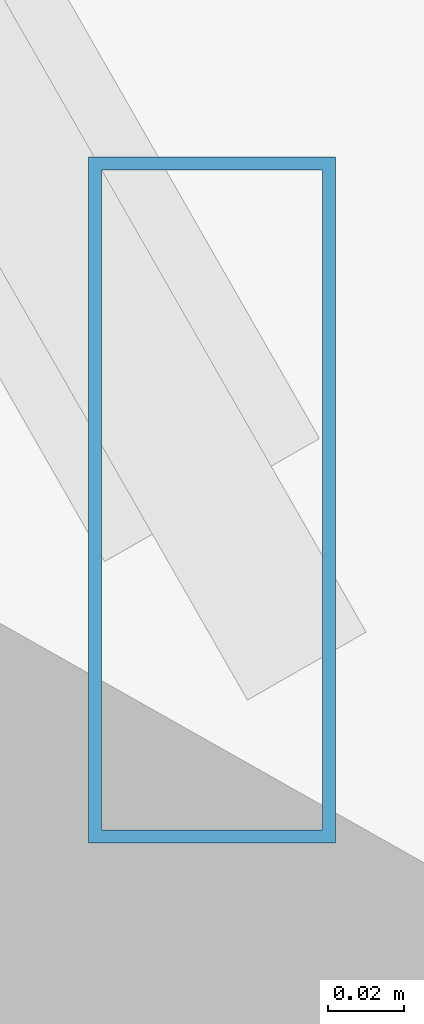
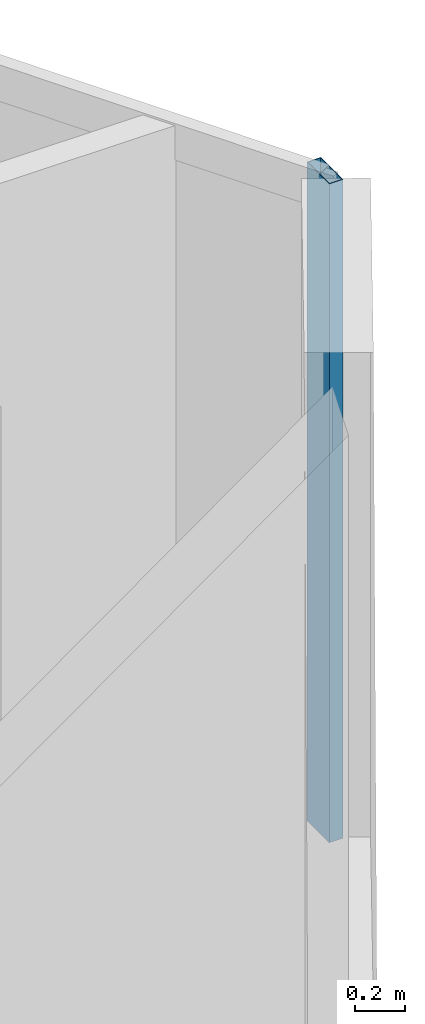
# One storey, part 19 of 39: 1 member, 1 element without a shape of its own.
"""IFC4 building model written with IfcOpenShell, lengths in metres."""

from ifc_helpers import new_model, si_unit, direction, frame, origin, origin_2d, place, context, subcontext, project, spatial, hollow_rectangle, extrude, source, transform, mapped, material, material_profile, profile_set, type_object, type_shapes, element, aggregate, save


model = new_model("IFC4")

# Units and contexts
model_context = context("Model", 3, precision=1e-05, world=origin(), true_north=direction((0.0, 1.0)))
body_context = subcontext(model_context, "Body", "Model", "MODEL_VIEW")
ifc_project = project(units=[si_unit("LENGTHUNIT", "METRE"), si_unit("AREAUNIT", "SQUARE_METRE"), si_unit("VOLUMEUNIT", "CUBIC_METRE"), si_unit("PLANEANGLEUNIT", "RADIAN"), si_unit("MASSUNIT", "GRAM", prefix="KILO")], contexts=[model_context])

# Site, building, storey
site_placement = place(None, origin())
site = spatial("IfcSite", under=ifc_project, at=site_placement, CompositionType="ELEMENT")
building_placement = place(site_placement, origin())
building = spatial("IfcBuilding", under=site, at=building_placement, Name="Caelisora Broadcast Tower", CompositionType="ELEMENT")
storey_placement = place(building_placement, frame((0.0, 0.0, 71.39990234375)))
storey = spatial("IfcBuildingStorey", under=building, at=storey_placement, Name="L18", CompositionType="ELEMENT", Elevation=71.39990234375)

# Curtain wall, member
ifc_material_1 = material(Name="Unitised Aluminium and Low-E Glass Curtain Wall", Category="glass")
curtain_wall_type = type_object("IfcCurtainWallType", Name="CW-Z1", PredefinedType="NOTDEFINED", material=ifc_material_1)
curtain_wall_placement = place(storey_placement, origin())
curtain_wall = element("IfcCurtainWall", 1, at=curtain_wall_placement, inside=storey, type_object=curtain_wall_type, Name="L18 curtain wall CW-Z1", PredefinedType="NOTDEFINED")
ifc_material_2 = material(Name="Aluminium 6063-T6 Anodised Terracotta Bronze", Category="aluminium")
ifc_material_profile = material_profile(ifc_material_2, hollow_rectangle(XDim=0.06494140625, YDim=0.179931640625, WallThickness=0.00341796875, at=origin_2d()), Name="Aluminium 6063-T6 Anodised Terracotta Bronze")
ifc_profile_set = profile_set([ifc_material_profile], Name="Aluminium 6063-T6 Anodised Terracotta Bronze")
member_type = type_object("IfcMemberType", Name="CWM-02", PredefinedType="MULLION", material=ifc_profile_set)
shared_shape = source(origin(), body_context, "Body", "SweptSolid", [
    extrude(hollow_rectangle(XDim=0.06494140625, YDim=0.179931640625, WallThickness=0.00341796875, at=origin_2d()), origin(), (0.0, 0.0, 1.0), 3.25),
])
type_shapes(member_type, [shared_shape])
member_placement = place(storey_placement, frame((64.615234375, 16.45751953125, 0.0), z_axis=(0.0, 0.0, 1.0), x_axis=(1.0, 0.0, 0.0)))
member = element("IfcMember", 2, at=member_placement, type_object=member_type, Name="L18-CW-B03 mullion #3", PredefinedType="MULLION", context=body_context, shape_type="MappedRepresentation", body=[
    mapped(shared_shape, transform((0.0, 0.0, 0.0), scale=1.0)),
])
aggregate(curtain_wall, [member])

save(model, "model.ifc")
